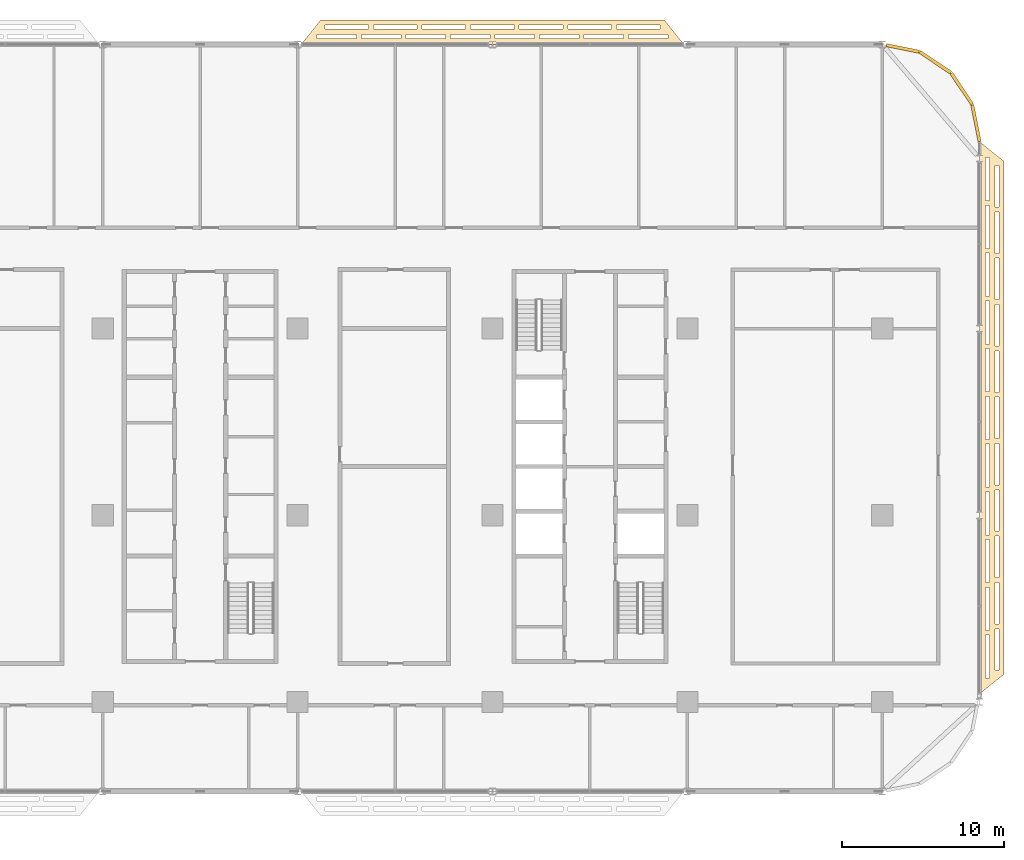
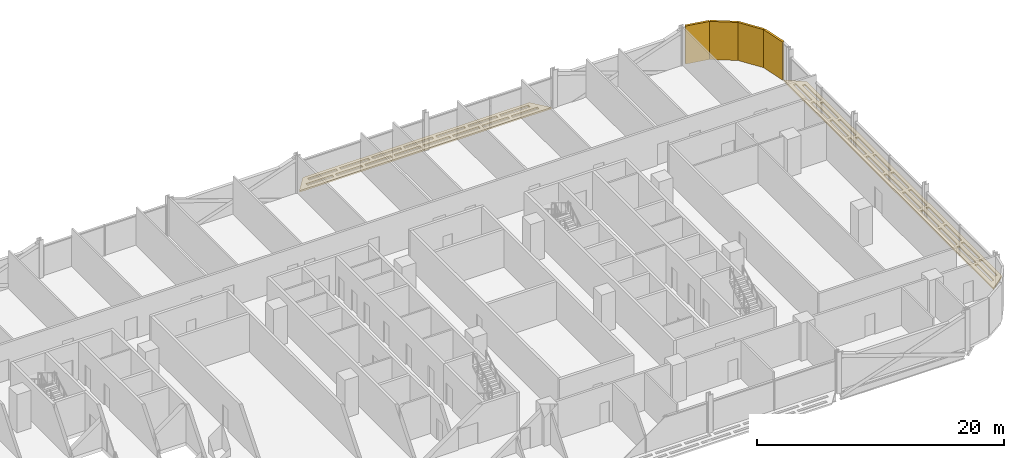
# One storey, part 29 of 29: 6 coverings.
"""IFC4 building model written with IfcOpenShell, lengths in metres."""

from ifc_helpers import new_model, si_unit, direction, frame, origin, origin_2d, place, context, subcontext, project, spatial, polyline, rectangle, outline, extrude, material, layer, layer_set, type_object, element, save


model = new_model("IFC4")

# Units and contexts
model_context = context("Model", 3, precision=1e-05, world=origin(), true_north=direction((0.0, 1.0)))
body_context = subcontext(model_context, "Body", "Model", "MODEL_VIEW")
ifc_project = project(units=[si_unit("LENGTHUNIT", "METRE"), si_unit("AREAUNIT", "SQUARE_METRE"), si_unit("VOLUMEUNIT", "CUBIC_METRE"), si_unit("PLANEANGLEUNIT", "RADIAN"), si_unit("MASSUNIT", "GRAM", prefix="KILO")], contexts=[model_context])

# Site, building, storey
site_placement = place(None, origin())
site = spatial("IfcSite", under=ifc_project, at=site_placement, CompositionType="ELEMENT")
building_placement = place(site_placement, origin())
building = spatial("IfcBuilding", under=site, at=building_placement, Name="Mahtab Terrace Research Tower", CompositionType="ELEMENT")
storey_placement = place(building_placement, frame((0.0, 0.0, 142.5)))
storey = spatial("IfcBuildingStorey", under=building, at=storey_placement, Name="L33", CompositionType="ELEMENT", Elevation=142.5)

# Coverings
ifc_material_1 = material(Name="Black aluminium cladding panel", Category="aluminium")
ifc_layer_1 = layer(ifc_material_1, 0.199951171875)
ifc_layer_set_1 = layer_set([ifc_layer_1], Name="Black metal corner cladding 200")
covering_type_1 = type_object("IfcCoveringType", Name="Black metal corner cladding 200", PredefinedType="CLADDING", material=ifc_layer_set_1)
for number, where, z_axis, x_axis, name in (
    (1, (46.89306640625, 26.26953125, 0.0), (0.0, 0.0, 1.0), (-0.555291490808, 0.831655794326, 0.0), "Corner cladding L33 0"),
    (2, (45.26953125, 27.89306640625, 0.0), (0.0, 0.0, 1.0), (-0.831655794326, 0.555291490808, 0.0), "Corner cladding L33 1"),
):
    element("IfcCovering", number, at=place(storey_placement, frame(where, z_axis=z_axis, x_axis=x_axis)), inside=storey, type_object=covering_type_1, Name=name, PredefinedType="CLADDING", context=body_context, shape_type="SweptSolid", body=[
        extrude(rectangle(XDim=2.30126953125, YDim=0.199951171875, at=origin_2d()), origin(), (0.0, 0.0, 1.0), 3.760009765625),
    ])
covering_1_placement = place(storey_placement, frame((43.263916015625, 28.74853515625, 0.0), z_axis=(0.0, 0.0, 1.0), x_axis=(-0.980760981187, 0.195212442692, 0.0)))
element("IfcCovering", 3, at=covering_1_placement, inside=storey, type_object=covering_type_1, Name="Corner cladding L33 2", PredefinedType="CLADDING", context=body_context, shape_type="SweptSolid", body=[
    extrude(rectangle(XDim=2.064697265625, YDim=0.199951171875, at=origin_2d()), origin(), (0.0, 0.0, 1.0), 3.760009765625),
])
covering_2_placement = place(storey_placement, frame((47.771484375, 24.14794921875, 0.0), z_axis=(0.0, 0.0, 1.0), x_axis=(-0.195212442692, 0.980760981187, 0.0)))
element("IfcCovering", 4, at=covering_2_placement, inside=storey, type_object=covering_type_1, Name="Corner cladding L33 40", PredefinedType="CLADDING", context=body_context, shape_type="SweptSolid", body=[
    extrude(rectangle(XDim=2.30126953125, YDim=0.199951171875, at=origin_2d()), origin(), (0.0, 0.0, 1.0), 3.760009765625),
])
ifc_material_2 = material(Name="Black anodised aluminium", Category="aluminium")
ifc_layer_2 = layer(ifc_material_2, 0.14990234375)
ifc_layer_set_2 = layer_set([ifc_layer_2], Name="Horizontal sunshade band")
covering_type_2 = type_object("IfcCoveringType", Name="Horizontal sunshade band", PredefinedType="CLADDING", material=ifc_layer_set_2)
covering_3_placement = place(storey_placement, frame((0.0, 0.0, -0.14990234375)))
element("IfcCovering", 5, at=covering_3_placement, inside=storey, type_object=covering_type_2, Name="Sunshade band L33 4", PredefinedType="CLADDING", context=body_context, shape_type="SweptSolid", body=[
    extrude(outline(polyline([(29.781982421875, 29.0), (6.218017578125, 29.0), (7.41796875, 30.5), (28.58203125, 30.5), (29.781982421875, 29.0)]), holes=[polyline([(28.802001953125, 29.35009765625), (26.364013671875, 29.35009765625), (26.364013671875, 29.60009765625), (28.802001953125, 29.60009765625), (28.802001953125, 29.35009765625)]), polyline([(26.06396484375, 29.35009765625), (23.6259765625, 29.35009765625), (23.6259765625, 29.60009765625), (26.06396484375, 29.60009765625), (26.06396484375, 29.35009765625)]), polyline([(23.325927734375, 29.35009765625), (20.887939453125, 29.35009765625), (20.887939453125, 29.60009765625), (23.325927734375, 29.60009765625), (23.325927734375, 29.35009765625)]), polyline([(20.587890625, 29.35009765625), (18.14990234375, 29.35009765625), (18.14990234375, 29.60009765625), (20.587890625, 29.60009765625), (20.587890625, 29.35009765625)]), polyline([(17.85009765625, 29.35009765625), (15.412109375, 29.35009765625), (15.412109375, 29.60009765625), (17.85009765625, 29.60009765625), (17.85009765625, 29.35009765625)]), polyline([(15.112060546875, 29.35009765625), (12.674072265625, 29.35009765625), (12.674072265625, 29.60009765625), (15.112060546875, 29.60009765625), (15.112060546875, 29.35009765625)]), polyline([(12.3740234375, 29.35009765625), (9.93603515625, 29.35009765625), (9.93603515625, 29.60009765625), (12.3740234375, 29.60009765625), (12.3740234375, 29.35009765625)]), polyline([(9.635986328125, 29.35009765625), (7.197998046875, 29.35009765625), (7.197998046875, 29.60009765625), (9.635986328125, 29.60009765625), (9.635986328125, 29.35009765625)]), polyline([(28.322021484375, 29.949951171875), (25.6298828125, 29.949951171875), (25.6298828125, 30.199951171875), (28.322021484375, 30.199951171875), (28.322021484375, 29.949951171875)]), polyline([(25.330078125, 29.949951171875), (22.637939453125, 29.949951171875), (22.637939453125, 30.199951171875), (25.330078125, 30.199951171875), (25.330078125, 29.949951171875)]), polyline([(22.337890625, 29.949951171875), (19.64599609375, 29.949951171875), (19.64599609375, 30.199951171875), (22.337890625, 30.199951171875), (22.337890625, 29.949951171875)]), polyline([(19.345947265625, 29.949951171875), (16.654052734375, 29.949951171875), (16.654052734375, 30.199951171875), (19.345947265625, 30.199951171875), (19.345947265625, 29.949951171875)]), polyline([(16.35400390625, 29.949951171875), (13.662109375, 29.949951171875), (13.662109375, 30.199951171875), (16.35400390625, 30.199951171875), (16.35400390625, 29.949951171875)]), polyline([(13.362060546875, 29.949951171875), (10.669921875, 29.949951171875), (10.669921875, 30.199951171875), (13.362060546875, 30.199951171875), (13.362060546875, 29.949951171875)]), polyline([(10.3701171875, 29.949951171875), (7.677978515625, 29.949951171875), (7.677978515625, 30.199951171875), (10.3701171875, 30.199951171875), (10.3701171875, 29.949951171875)])]), origin(), (0.0, 0.0, 1.0), 0.14990234375),
])
covering_4_placement = place(storey_placement, frame((0.0, 0.0, -0.14990234375)))
element("IfcCovering", 6, at=covering_4_placement, inside=storey, type_object=covering_type_2, Name="Sunshade band L33 36", PredefinedType="CLADDING", context=body_context, shape_type="SweptSolid", body=[
    extrude(outline(polyline([(48.0, -11.0), (48.0, 23.0), (49.5, 21.800048828125), (49.5, -9.800048828125), (48.0, -11.0)]), holes=[polyline([(48.35009765625, -10.02001953125), (48.35009765625, -7.3798828125), (48.60009765625, -7.3798828125), (48.60009765625, -10.02001953125), (48.35009765625, -10.02001953125)]), polyline([(48.35009765625, -7.080078125), (48.35009765625, -4.43994140625), (48.60009765625, -4.43994140625), (48.60009765625, -7.080078125), (48.35009765625, -7.080078125)]), polyline([(48.35009765625, -4.139892578125), (48.35009765625, -1.5), (48.60009765625, -1.5), (48.60009765625, -4.139892578125), (48.35009765625, -4.139892578125)]), polyline([(48.35009765625, -1.199951171875), (48.35009765625, 1.43994140625), (48.60009765625, 1.43994140625), (48.60009765625, -1.199951171875), (48.35009765625, -1.199951171875)]), polyline([(48.35009765625, 1.739990234375), (48.35009765625, 4.3798828125), (48.60009765625, 4.3798828125), (48.60009765625, 1.739990234375), (48.35009765625, 1.739990234375)]), polyline([(48.35009765625, 4.679931640625), (48.35009765625, 7.320068359375), (48.60009765625, 7.320068359375), (48.60009765625, 4.679931640625), (48.35009765625, 4.679931640625)]), polyline([(48.35009765625, 7.6201171875), (48.35009765625, 10.260009765625), (48.60009765625, 10.260009765625), (48.60009765625, 7.6201171875), (48.35009765625, 7.6201171875)]), polyline([(48.35009765625, 10.56005859375), (48.35009765625, 13.199951171875), (48.60009765625, 13.199951171875), (48.60009765625, 10.56005859375), (48.35009765625, 10.56005859375)]), polyline([(48.35009765625, 13.5), (48.35009765625, 16.139892578125), (48.60009765625, 16.139892578125), (48.60009765625, 13.5), (48.35009765625, 13.5)]), polyline([(48.35009765625, 16.43994140625), (48.35009765625, 19.080078125), (48.60009765625, 19.080078125), (48.60009765625, 16.43994140625), (48.35009765625, 16.43994140625)]), polyline([(48.35009765625, 19.3798828125), (48.35009765625, 22.02001953125), (48.60009765625, 22.02001953125), (48.60009765625, 19.3798828125), (48.35009765625, 19.3798828125)]), polyline([(48.949951171875, -9.5400390625), (48.949951171875, -6.987060546875), (49.199951171875, -6.987060546875), (49.199951171875, -9.5400390625), (48.949951171875, -9.5400390625)]), polyline([(48.949951171875, -6.68701171875), (48.949951171875, -4.135009765625), (49.199951171875, -4.135009765625), (49.199951171875, -6.68701171875), (48.949951171875, -6.68701171875)]), polyline([(48.949951171875, -3.8349609375), (48.949951171875, -1.281982421875), (49.199951171875, -1.281982421875), (49.199951171875, -3.8349609375), (48.949951171875, -3.8349609375)]), polyline([(48.949951171875, -0.98193359375), (48.949951171875, 1.571044921875), (49.199951171875, 1.571044921875), (49.199951171875, -0.98193359375), (48.949951171875, -0.98193359375)]), polyline([(48.949951171875, 1.87109375), (48.949951171875, 4.424072265625), (49.199951171875, 4.424072265625), (49.199951171875, 1.87109375), (48.949951171875, 1.87109375)]), polyline([(48.949951171875, 4.72412109375), (48.949951171875, 7.27587890625), (49.199951171875, 7.27587890625), (49.199951171875, 4.72412109375), (48.949951171875, 4.72412109375)]), polyline([(48.949951171875, 7.575927734375), (48.949951171875, 10.12890625), (49.199951171875, 10.12890625), (49.199951171875, 7.575927734375), (48.949951171875, 7.575927734375)]), polyline([(48.949951171875, 10.428955078125), (48.949951171875, 12.98193359375), (49.199951171875, 12.98193359375), (49.199951171875, 10.428955078125), (48.949951171875, 10.428955078125)]), polyline([(48.949951171875, 13.281982421875), (48.949951171875, 15.8349609375), (49.199951171875, 15.8349609375), (49.199951171875, 13.281982421875), (48.949951171875, 13.281982421875)]), polyline([(48.949951171875, 16.135009765625), (48.949951171875, 18.68701171875), (49.199951171875, 18.68701171875), (49.199951171875, 16.135009765625), (48.949951171875, 16.135009765625)]), polyline([(48.949951171875, 18.987060546875), (48.949951171875, 21.5400390625), (49.199951171875, 21.5400390625), (49.199951171875, 18.987060546875), (48.949951171875, 18.987060546875)])]), origin(), (0.0, 0.0, 1.0), 0.14990234375),
])

save(model, "model.ifc")
